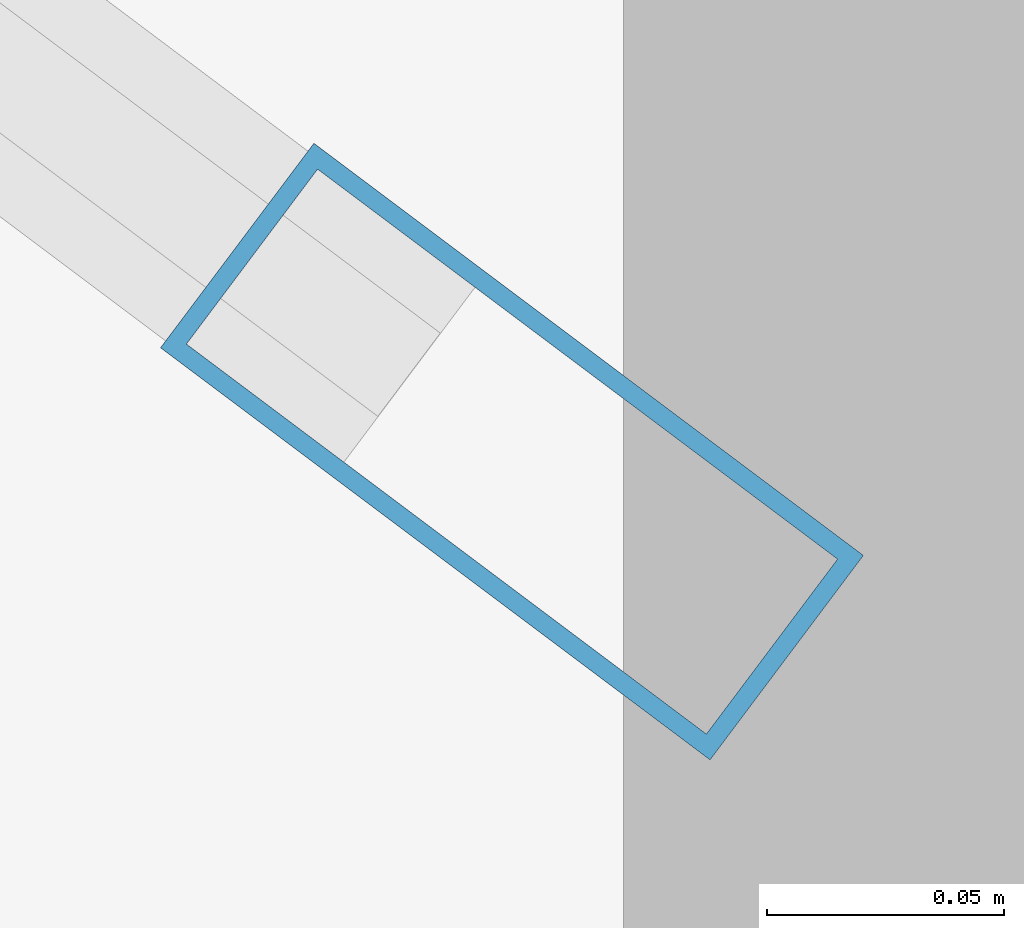
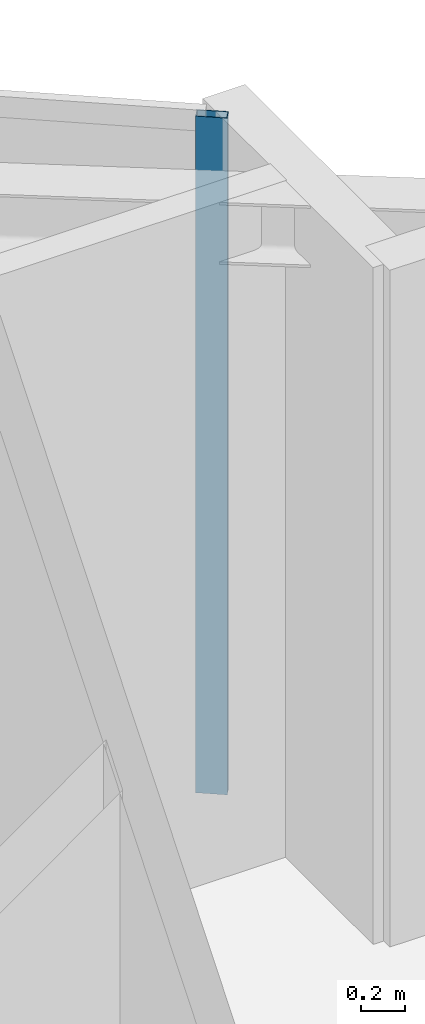
# One storey, part 4 of 12: 1 member, 1 element without a shape of its own.
"""IFC4 building model written with IfcOpenShell, lengths in metres."""

import ifcopenshell
import ifcopenshell.guid

model = None  # the IFC model being written
_history = None  # IfcOwnerHistory: only IFC2X3 demands one
_inside = {}  # id of a spatial element -> (the spatial element, [elements in it])
_under = {}  # id of a project, library or spatial element -> (it, [spatial elements below it])
_declared = {}  # id of a project -> (the project, [libraries it declares])
_typed = {}  # id of a type object -> (the type object, [elements of that type])
_made_of = {}  # id of a material, layer set ... -> (it, [elements and type objects made of it])


def new_model(schema):
    """Start an empty IFC model of exactly this schema.

    Asked for "IFC4X3", IfcOpenShell would pick the latest addendum, in which some entities
    have other attributes; the version numbers below select the first issue.
    IFC2X3 requires an IfcOwnerHistory on every rooted entity: one is made here for all.
    """
    global model, _history
    if schema == "IFC4X3":
        model = ifcopenshell.file(schema_version=(4, 3, 0, 0))
    else:
        model = ifcopenshell.file(schema=schema)
    _inside.clear()
    _under.clear()
    _declared.clear()
    _typed.clear()
    _made_of.clear()
    _history = None
    if model.schema == "IFC2X3":
        org = make("IfcOrganization", Name="unknown")
        user = make(
            "IfcPersonAndOrganization",
            ThePerson=make("IfcPerson", FamilyName="unknown"),
            TheOrganization=org,
        )
        app = make(
            "IfcApplication",
            ApplicationDeveloper=org,
            Version="unknown",
            ApplicationFullName="unknown",
            ApplicationIdentifier="unknown",
        )
        _history = make(
            "IfcOwnerHistory",
            OwningUser=user,
            OwningApplication=app,
            ChangeAction="ADDED",
            CreationDate=0,
        )
    return model


def make(cls, **values):
    """One entity of the class cls with the attributes given. An attribute that is None is left unset."""
    return model.create_entity(
        cls, **{name: value for name, value in values.items() if value is not None}
    )


def rooted(cls, **values):
    """An entity with a GlobalId (a new one), such as an element, a storey or a relation."""
    return make(cls, GlobalId=ifcopenshell.guid.new(), OwnerHistory=_history, **values)


def si_unit(unit_type, name, prefix=None):
    """IfcSIUnit, for example si_unit("LENGTHUNIT", "METRE", prefix="MILLI")."""
    return make("IfcSIUnit", UnitType=unit_type, Prefix=prefix, Name=name)


def assignment(units):
    """IfcUnitAssignment: the units of a project."""
    return None if units is None else make("IfcUnitAssignment", Units=units)


def point(xyz):
    """IfcCartesianPoint."""
    return None if xyz is None else make("IfcCartesianPoint", Coordinates=xyz)


def direction(xyz):
    """IfcDirection."""
    return None if xyz is None else make("IfcDirection", DirectionRatios=xyz)


def frame(location, z_axis=None, x_axis=None):
    """IfcAxis2Placement3D, a coordinate frame: its origin and axes. An axis left out is left unset."""
    return make(
        "IfcAxis2Placement3D",
        Location=point(location),
        Axis=direction(z_axis),
        RefDirection=direction(x_axis),
    )


def frame_2d(location, x_axis=None):
    """IfcAxis2Placement2D, a coordinate frame in the plane: its origin and x axis."""
    return make(
        "IfcAxis2Placement2D", Location=point(location), RefDirection=direction(x_axis)
    )


def origin():
    """The frame at (0, 0, 0) with its axes left unset."""
    return frame((0.0, 0.0, 0.0))


def origin_2d():
    """The frame at (0, 0) in the plane with its x axis left unset."""
    return frame_2d((0.0, 0.0))


def place(relative_to, where):
    """IfcLocalPlacement: puts the frame where relative to a parent placement (None: the world)."""
    return make(
        "IfcLocalPlacement", PlacementRelTo=relative_to, RelativePlacement=where
    )


def context(
    kind, dimensions, precision=None, world=None, true_north=None, identifier=None
):
    """IfcGeometricRepresentationContext, for example the 3D "Model" context."""
    return make(
        "IfcGeometricRepresentationContext",
        ContextIdentifier=identifier,
        ContextType=kind,
        CoordinateSpaceDimension=dimensions,
        Precision=precision,
        WorldCoordinateSystem=world,
        TrueNorth=true_north,
    )


def subcontext(parent, identifier, kind, view, scale=None):
    """IfcGeometricRepresentationSubContext, for example "Body" below "Model"."""
    return make(
        "IfcGeometricRepresentationSubContext",
        ContextIdentifier=identifier,
        ContextType=kind,
        ParentContext=parent,
        TargetScale=scale,
        TargetView=view,
    )


def project(units=None, contexts=None):
    """IfcProject with its units and contexts."""
    return rooted(
        "IfcProject",
        Name="project",
        RepresentationContexts=contexts,
        UnitsInContext=assignment(units),
    )


def spatial(cls, under=None, at=None, **own):
    """A site, building, storey or space (cls), placed at a placement, below another one or the project."""
    s = rooted(cls, ObjectPlacement=at, **own)
    if under is not None:
        _under.setdefault(under.id(), (under, []))[1].append(s)
    return s


def profile(cls, at=None, kind="AREA", **sizes):
    """A parametric profile (cls). Its sizes go by their IFC names, for example OverallWidth=200.0."""
    return make(cls, ProfileType=kind, Position=at, **sizes)


def hollow_rectangle(**sizes):
    """IfcRectangleHollowProfileDef."""
    return profile("IfcRectangleHollowProfileDef", **sizes)


def extrude(swept, where, along, depth):
    """IfcExtrudedAreaSolid: the profile swept, set in the frame where, extruded along a direction by depth."""
    return make(
        "IfcExtrudedAreaSolid",
        SweptArea=swept,
        Position=where,
        ExtrudedDirection=direction(along),
        Depth=depth,
    )


def shape(context_of_items, identifier, shape_type, items):
    """IfcShapeRepresentation: the items that make up one representation, for example the "Body"."""
    return make(
        "IfcShapeRepresentation",
        ContextOfItems=context_of_items,
        RepresentationIdentifier=identifier,
        RepresentationType=shape_type,
        Items=items,
    )


def material(Name=None, Category=None):
    """IfcMaterial."""
    return make("IfcMaterial", Name=Name, Category=Category)


def layer(
    of_material, thickness, ventilated=None, Name=None, Category=None, Priority=None
):
    """IfcMaterialLayer: one layer of a wall or slab, of a material (None: an air gap)."""
    return make(
        "IfcMaterialLayer",
        Material=of_material,
        LayerThickness=thickness,
        IsVentilated=ventilated,
        Name=Name,
        Category=Category,
        Priority=Priority,
    )


def layer_set(layers, Name=None):
    """IfcMaterialLayerSet."""
    return make("IfcMaterialLayerSet", MaterialLayers=layers, LayerSetName=Name)


def material_profile(
    of_material, cross_section, Name=None, Category=None, Priority=None
):
    """IfcMaterialProfile: a cross section and its material."""
    return make(
        "IfcMaterialProfile",
        Name=Name,
        Material=of_material,
        Profile=cross_section,
        Priority=Priority,
        Category=Category,
    )


def profile_set(profiles, Name=None, composite=None):
    """IfcMaterialProfileSet."""
    return make(
        "IfcMaterialProfileSet",
        Name=Name,
        MaterialProfiles=profiles,
        CompositeProfile=composite,
    )


def made_of(thing, what):
    """Note that an element or type object is made of a material, layer set ...; save() writes the relation."""
    if what is not None:
        _made_of.setdefault(what.id(), (what, []))[1].append(thing)
    return thing


def type_object(cls, material=None, **own):
    """A type object (cls), such as IfcWallType, which elements share."""
    return made_of(rooted(cls, **own), material)


def element(
    cls,
    number,
    at=None,
    inside=None,
    cuts=None,
    type_object=None,
    material=None,
    context=None,
    identifier="Body",
    shape_type=None,
    held_by="IfcProductDefinitionShape",
    body=None,
    shapes=None,
    **own,
):
    """One element of the class cls, such as IfcWall. Its Tag is "e" and its number.

    at: its placement. inside: the storey or other place that contains it. cuts: it is an
    opening in that element (IfcRelVoidsElement). A single representation is given by context,
    identifier, shape_type and body (its items); several are given by shapes. held_by: the class
    of the entity that holds the representations. save() writes the other relations.
    """
    e = rooted(cls, Tag="e%d" % number, ObjectPlacement=at, **own)
    if body is not None:
        shapes = [shape(context, identifier, shape_type, body)]
    if shapes is not None:
        e.Representation = make(held_by, Representations=shapes)
    if inside is not None:
        _inside.setdefault(inside.id(), (inside, []))[1].append(e)
    if cuts is not None:
        rooted(
            "IfcRelVoidsElement", RelatingBuildingElement=cuts, RelatedOpeningElement=e
        )
    if type_object is not None:
        _typed.setdefault(type_object.id(), (type_object, []))[1].append(e)
    return made_of(e, material)


def aggregate(whole, parts):
    """IfcRelAggregates: a whole, such as a stair, and the parts it consists of."""
    return rooted("IfcRelAggregates", RelatingObject=whole, RelatedObjects=parts)


def save(model, path):
    """Write the relations noted so far, then the file.

    IfcRelAggregates (storeys below a building ...), IfcRelContainedInSpatialStructure (elements
    in a storey), IfcRelDefinesByType, IfcRelAssociatesMaterial and IfcRelDeclares: one each for
    every whole, place, type object, material and project.
    """
    for whole, parts in _under.values():
        aggregate(whole, parts)
    for where, things in _inside.values():
        rooted(
            "IfcRelContainedInSpatialStructure",
            RelatedElements=things,
            RelatingStructure=where,
        )
    for kind, things in _typed.values():
        rooted("IfcRelDefinesByType", RelatedObjects=things, RelatingType=kind)
    for what, things in _made_of.values():
        rooted("IfcRelAssociatesMaterial", RelatedObjects=things, RelatingMaterial=what)
    for by, libraries in _declared.values():
        rooted("IfcRelDeclares", RelatingContext=by, RelatedDefinitions=libraries)
    model.write(path)


model = new_model("IFC4")

# Units and contexts
model_context = context("Model", 3, precision=1e-05, world=origin(), true_north=direction((0.0, 1.0)))
body_context = subcontext(model_context, "Body", "Model", "MODEL_VIEW")
ifc_project = project(units=[si_unit("LENGTHUNIT", "METRE"), si_unit("AREAUNIT", "SQUARE_METRE"), si_unit("VOLUMEUNIT", "CUBIC_METRE"), si_unit("PLANEANGLEUNIT", "RADIAN"), si_unit("MASSUNIT", "GRAM", prefix="KILO")], contexts=[model_context])

# Site, building, storey
site_placement = place(None, origin())
site = spatial("IfcSite", under=ifc_project, at=site_placement, CompositionType="ELEMENT")
building_placement = place(site_placement, origin())
building = spatial("IfcBuilding", under=site, at=building_placement, Name="Haolan Belvedere Tower", CompositionType="ELEMENT")
storey_placement = place(building_placement, frame((0.0, 0.0, 282.199951171875)))
storey = spatial("IfcBuildingStorey", under=building, at=storey_placement, Name="L71", CompositionType="ELEMENT", Elevation=282.199951171875)

# Curtain wall, member
ifc_material_1 = material(Name="Anodised champagne-silver aluminium 6063-T6 and Low-E glass", Category="aluminium")
ifc_layer = layer(ifc_material_1, 0.14501953125, Name="Anodised champagne-silver aluminium 6063-T6 and Low-E glass")
ifc_layer_set = layer_set([ifc_layer], Name="Anodised champagne-silver aluminium 6063-T6 and Low-E glass")
curtain_wall_type = type_object("IfcCurtainWallType", Name="CW-SYS-05", PredefinedType="NOTDEFINED", material=ifc_layer_set)
curtain_wall_placement = place(storey_placement, origin())
curtain_wall = element("IfcCurtainWall", 1, at=curtain_wall_placement, inside=storey, type_object=curtain_wall_type, Name="L71 CW-SYS-05 ribbon curtain wall 8.1", PredefinedType="NOTDEFINED")
ifc_material_2 = material(Name="Anodised aluminium 6063-T6", Category="aluminium")
ifc_material_profile = material_profile(ifc_material_2, hollow_rectangle(XDim=0.053955078125, YDim=0.14501953125, WallThickness=0.00390625, at=origin_2d()), Name="Anodised aluminium 6063-T6")
ifc_profile_set = profile_set([ifc_material_profile], Name="Anodised aluminium 6063-T6")
member_type = type_object("IfcMemberType", Name="CW-SYS-05-MUL", PredefinedType="MULLION", material=ifc_profile_set)
member_placement = place(storey_placement, frame((50.156494140625, 48.045166015625, 0.0), z_axis=(0.0, 0.0, 1.0), x_axis=(-0.600002837806, -0.799997871638, 0.0)))
member = element("IfcMember", 2, at=member_placement, type_object=member_type, Name="CW-05 mullion 1", PredefinedType="MULLION", context=body_context, shape_type="SweptSolid", body=[
    extrude(hollow_rectangle(XDim=0.053955078125, YDim=0.14501953125, WallThickness=0.00390625, at=origin_2d()), origin(), (0.0, 0.0, 1.0), 3.719970703125),
])
aggregate(curtain_wall, [member])

save(model, "model.ifc")
